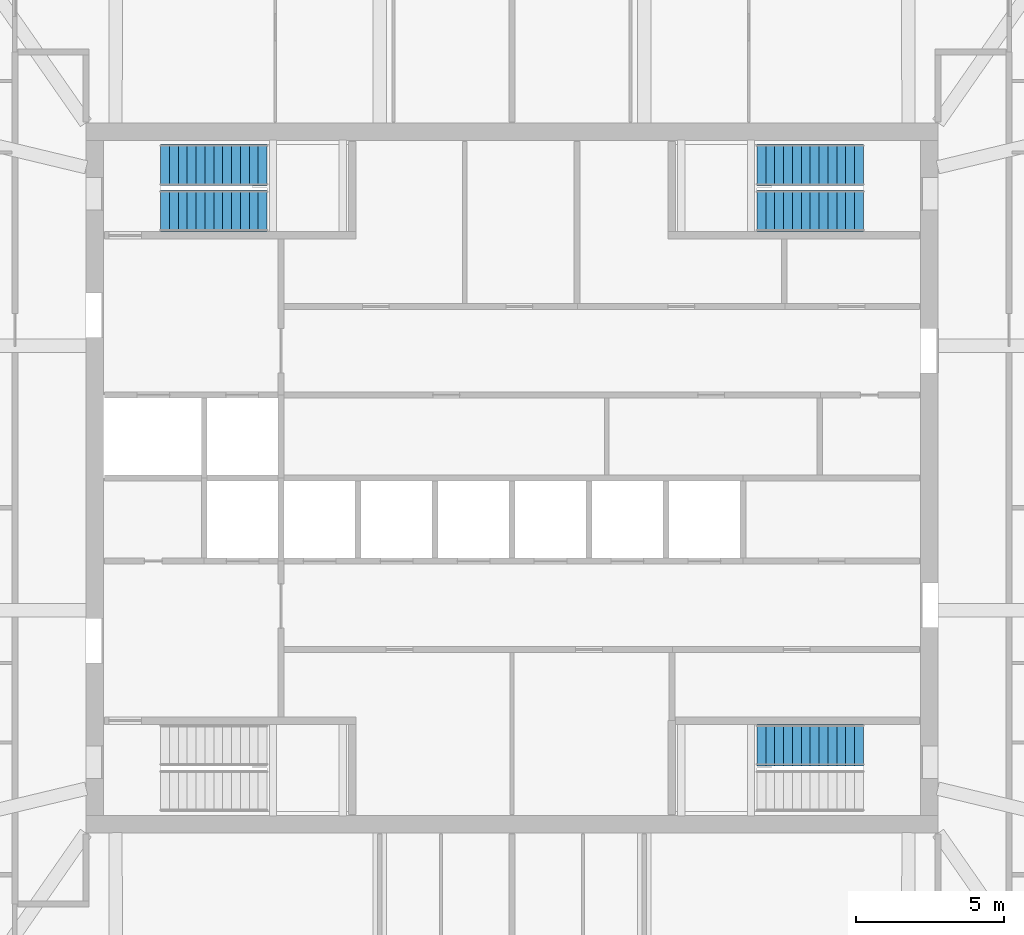
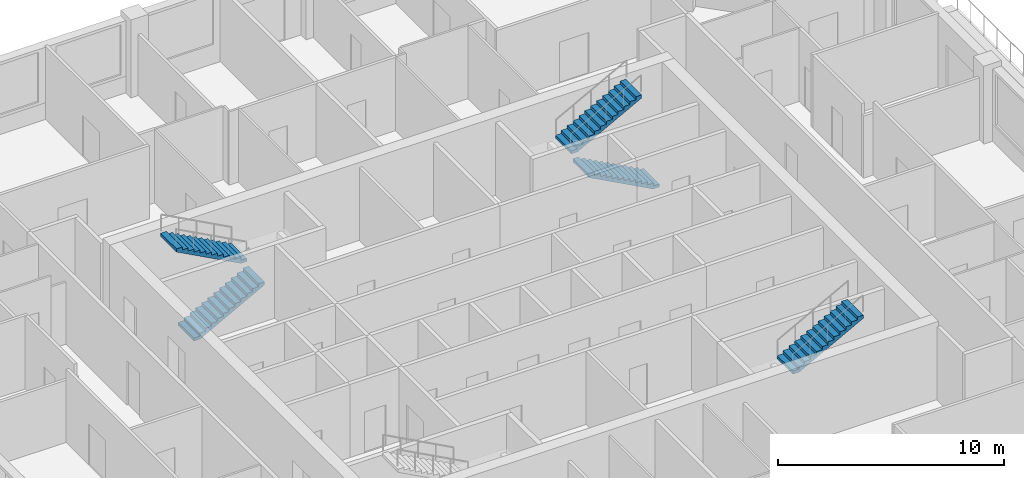
# One storey, part 10 of 12: 5 stair flights, 3 elements without a shape of their own.
"""IFC4 building model written with IfcOpenShell, lengths in metres."""

from ifc_helpers import new_model, si_unit, direction, frame, origin, place, context, subcontext, project, spatial, polyline, outline, extrude, material, type_object, element, aggregate, save


model = new_model("IFC4")

# Units and contexts
model_context = context("Model", 3, precision=1e-05, world=origin(), true_north=direction((0.0, 1.0)))
body_context = subcontext(model_context, "Body", "Model", "MODEL_VIEW")
ifc_project = project(units=[si_unit("LENGTHUNIT", "METRE"), si_unit("AREAUNIT", "SQUARE_METRE"), si_unit("VOLUMEUNIT", "CUBIC_METRE"), si_unit("PLANEANGLEUNIT", "RADIAN"), si_unit("MASSUNIT", "GRAM", prefix="KILO")], contexts=[model_context])

# Site, building, storey
site_placement = place(None, origin())
site = spatial("IfcSite", under=ifc_project, at=site_placement, CompositionType="ELEMENT")
building_placement = place(site_placement, origin())
building = spatial("IfcBuilding", under=site, at=building_placement, Name="Msitu Wima Residences", CompositionType="ELEMENT")
storey_placement = place(building_placement, frame((0.0, 0.0, 243.300048828125)))
storey = spatial("IfcBuildingStorey", under=building, at=storey_placement, Name="L56", CompositionType="ELEMENT", Elevation=243.300048828125)

# Stair, stair flights
ifc_material = material(Name="Concrete C40/50", Category="concrete")
stair_type = type_object("IfcStairType", Name="Exit stair ES1615-140", PredefinedType="HALF_TURN_STAIR", material=ifc_material)
stair_1_placement = place(storey_placement, origin())
stair_1 = element("IfcStair", 1, at=stair_1_placement, inside=storey, type_object=stair_type, Name="Exit stair 1", PredefinedType="HALF_TURN_STAIR")
stair_flight_type = type_object("IfcStairFlightType", Name="Exit stair flight ES1615-140", PredefinedType="STRAIGHT", material=ifc_material)
stair_flight_1_placement = place(storey_placement, frame((-11.875, 9.02490234375, 0.0), z_axis=(0.0, 0.0, 1.0), x_axis=(1.0, 0.0, 0.0)))
stair_flight_1 = element("IfcStairFlight", 2, at=stair_flight_1_placement, type_object=stair_flight_type, Name="S1 flight 1", NumberOfRisers=13, NumberOfTreads=12, PredefinedType="STRAIGHT", RiserHeight=0.161538462, TreadLength=0.3, context=body_context, shape_type="SweptSolid", body=[
    extrude(outline(polyline([(0.0, 0.0), (0.0, 0.16162109375), (0.300048828125, 0.16162109375), (0.300048828125, 0.322998046875), (0.60009765625, 0.322998046875), (0.60009765625, 0.484619140625), (0.89990234375, 0.484619140625), (0.89990234375, 0.646240234375), (1.199951171875, 0.646240234375), (1.199951171875, 0.8076171875), (1.5, 0.8076171875), (1.5, 0.96923828125), (1.800048828125, 0.96923828125), (1.800048828125, 1.130859375), (2.10009765625, 1.130859375), (2.10009765625, 1.292236328125), (2.39990234375, 1.292236328125), (2.39990234375, 1.453857421875), (2.699951171875, 1.453857421875), (2.699951171875, 1.615478515625), (3.0, 1.615478515625), (3.0, 1.77685546875), (3.300048828125, 1.77685546875), (3.300048828125, 1.9384765625), (3.60009765625, 1.9384765625), (3.60009765625, 2.10009765625), (3.60009765625, 1.768310546875), (0.316162109375, 0.0), (0.0, 0.0)])), frame((0.0, 0.699951171875, 0.0), z_axis=(0.0, -1.0, 0.0), x_axis=(1.0, 0.0, 0.0)), (0.0, 0.0, 1.0), 1.39990234375),
])
stair_flight_2_placement = place(storey_placement, frame((-8.27490234375, 10.574951171875, 2.099853515625), z_axis=(0.0, 0.0, 1.0), x_axis=(-1.0, 0.0, 0.0)))
stair_flight_2 = element("IfcStairFlight", 3, at=stair_flight_2_placement, type_object=stair_flight_type, Name="S1 flight 2", NumberOfRisers=13, NumberOfTreads=12, PredefinedType="STRAIGHT", RiserHeight=0.161538462, TreadLength=0.3, context=body_context, shape_type="SweptSolid", body=[
    extrude(outline(polyline([(0.0, 0.0), (0.0, 0.16162109375), (0.300048828125, 0.16162109375), (0.300048828125, 0.322998046875), (0.60009765625, 0.322998046875), (0.60009765625, 0.484619140625), (0.89990234375, 0.484619140625), (0.89990234375, 0.646240234375), (1.199951171875, 0.646240234375), (1.199951171875, 0.8076171875), (1.5, 0.8076171875), (1.5, 0.96923828125), (1.800048828125, 0.96923828125), (1.800048828125, 1.130859375), (2.10009765625, 1.130859375), (2.10009765625, 1.292236328125), (2.39990234375, 1.292236328125), (2.39990234375, 1.453857421875), (2.699951171875, 1.453857421875), (2.699951171875, 1.615478515625), (3.0, 1.615478515625), (3.0, 1.77685546875), (3.300048828125, 1.77685546875), (3.300048828125, 1.9384765625), (3.60009765625, 1.9384765625), (3.60009765625, 2.10009765625), (3.60009765625, 1.768310546875), (0.316162109375, 0.0), (0.0, 0.0)])), frame((0.0, 0.699951171875, 0.0), z_axis=(0.0, -1.0, 0.0), x_axis=(1.0, 0.0, 0.0)), (0.0, 0.0, 1.0), 1.39990234375),
])
aggregate(stair_1, [stair_flight_1, stair_flight_2])

stair_2_placement = place(storey_placement, origin())
stair_2 = element("IfcStair", 4, at=stair_2_placement, inside=storey, type_object=stair_type, Name="Exit stair 3", PredefinedType="HALF_TURN_STAIR")
stair_flight_3_placement = place(storey_placement, frame((11.875, 9.02490234375, 0.0), z_axis=(0.0, 0.0, 1.0), x_axis=(-1.0, 0.0, 0.0)))
stair_flight_3 = element("IfcStairFlight", 5, at=stair_flight_3_placement, type_object=stair_flight_type, Name="S3 flight 1", NumberOfRisers=13, NumberOfTreads=12, PredefinedType="STRAIGHT", RiserHeight=0.161538462, TreadLength=0.3, context=body_context, shape_type="SweptSolid", body=[
    extrude(outline(polyline([(0.0, 0.0), (0.0, 0.16162109375), (0.300048828125, 0.16162109375), (0.300048828125, 0.322998046875), (0.60009765625, 0.322998046875), (0.60009765625, 0.484619140625), (0.89990234375, 0.484619140625), (0.89990234375, 0.646240234375), (1.199951171875, 0.646240234375), (1.199951171875, 0.8076171875), (1.5, 0.8076171875), (1.5, 0.96923828125), (1.800048828125, 0.96923828125), (1.800048828125, 1.130859375), (2.10009765625, 1.130859375), (2.10009765625, 1.292236328125), (2.39990234375, 1.292236328125), (2.39990234375, 1.453857421875), (2.699951171875, 1.453857421875), (2.699951171875, 1.615478515625), (3.0, 1.615478515625), (3.0, 1.77685546875), (3.300048828125, 1.77685546875), (3.300048828125, 1.9384765625), (3.60009765625, 1.9384765625), (3.60009765625, 2.10009765625), (3.60009765625, 1.768310546875), (0.316162109375, 0.0), (0.0, 0.0)])), frame((0.0, 0.699951171875, 0.0), z_axis=(0.0, -1.0, 0.0), x_axis=(1.0, 0.0, 0.0)), (0.0, 0.0, 1.0), 1.39990234375),
])
stair_flight_4_placement = place(storey_placement, frame((8.27490234375, 10.574951171875, 2.099853515625), z_axis=(0.0, 0.0, 1.0), x_axis=(1.0, 0.0, 0.0)))
stair_flight_4 = element("IfcStairFlight", 6, at=stair_flight_4_placement, type_object=stair_flight_type, Name="S3 flight 2", NumberOfRisers=13, NumberOfTreads=12, PredefinedType="STRAIGHT", RiserHeight=0.161538462, TreadLength=0.3, context=body_context, shape_type="SweptSolid", body=[
    extrude(outline(polyline([(0.0, 0.0), (0.0, 0.16162109375), (0.300048828125, 0.16162109375), (0.300048828125, 0.322998046875), (0.60009765625, 0.322998046875), (0.60009765625, 0.484619140625), (0.89990234375, 0.484619140625), (0.89990234375, 0.646240234375), (1.199951171875, 0.646240234375), (1.199951171875, 0.8076171875), (1.5, 0.8076171875), (1.5, 0.96923828125), (1.800048828125, 0.96923828125), (1.800048828125, 1.130859375), (2.10009765625, 1.130859375), (2.10009765625, 1.292236328125), (2.39990234375, 1.292236328125), (2.39990234375, 1.453857421875), (2.699951171875, 1.453857421875), (2.699951171875, 1.615478515625), (3.0, 1.615478515625), (3.0, 1.77685546875), (3.300048828125, 1.77685546875), (3.300048828125, 1.9384765625), (3.60009765625, 1.9384765625), (3.60009765625, 2.10009765625), (3.60009765625, 1.768310546875), (0.316162109375, 0.0), (0.0, 0.0)])), frame((0.0, 0.699951171875, 0.0), z_axis=(0.0, -1.0, 0.0), x_axis=(1.0, 0.0, 0.0)), (0.0, 0.0, 1.0), 1.39990234375),
])
aggregate(stair_2, [stair_flight_3, stair_flight_4])

# Stair, stair flight
stair_3_placement = place(storey_placement, origin())
stair_3 = element("IfcStair", 7, at=stair_3_placement, inside=storey, type_object=stair_type, Name="Exit stair 4", PredefinedType="HALF_TURN_STAIR")
stair_flight_5_placement = place(storey_placement, frame((8.27490234375, -9.02490234375, 2.099853515625), z_axis=(0.0, 0.0, 1.0), x_axis=(1.0, 0.0, 0.0)))
stair_flight_5 = element("IfcStairFlight", 8, at=stair_flight_5_placement, type_object=stair_flight_type, Name="S4 flight 2", NumberOfRisers=13, NumberOfTreads=12, PredefinedType="STRAIGHT", RiserHeight=0.161538462, TreadLength=0.3, context=body_context, shape_type="SweptSolid", body=[
    extrude(outline(polyline([(0.0, 0.0), (0.0, 0.16162109375), (0.300048828125, 0.16162109375), (0.300048828125, 0.322998046875), (0.60009765625, 0.322998046875), (0.60009765625, 0.484619140625), (0.89990234375, 0.484619140625), (0.89990234375, 0.646240234375), (1.199951171875, 0.646240234375), (1.199951171875, 0.8076171875), (1.5, 0.8076171875), (1.5, 0.96923828125), (1.800048828125, 0.96923828125), (1.800048828125, 1.130859375), (2.10009765625, 1.130859375), (2.10009765625, 1.292236328125), (2.39990234375, 1.292236328125), (2.39990234375, 1.453857421875), (2.699951171875, 1.453857421875), (2.699951171875, 1.615478515625), (3.0, 1.615478515625), (3.0, 1.77685546875), (3.300048828125, 1.77685546875), (3.300048828125, 1.9384765625), (3.60009765625, 1.9384765625), (3.60009765625, 2.10009765625), (3.60009765625, 1.768310546875), (0.316162109375, 0.0), (0.0, 0.0)])), frame((0.0, 0.699951171875, 0.0), z_axis=(0.0, -1.0, 0.0), x_axis=(1.0, 0.0, 0.0)), (0.0, 0.0, 1.0), 1.39990234375),
])
aggregate(stair_3, [stair_flight_5])

save(model, "model.ifc")
